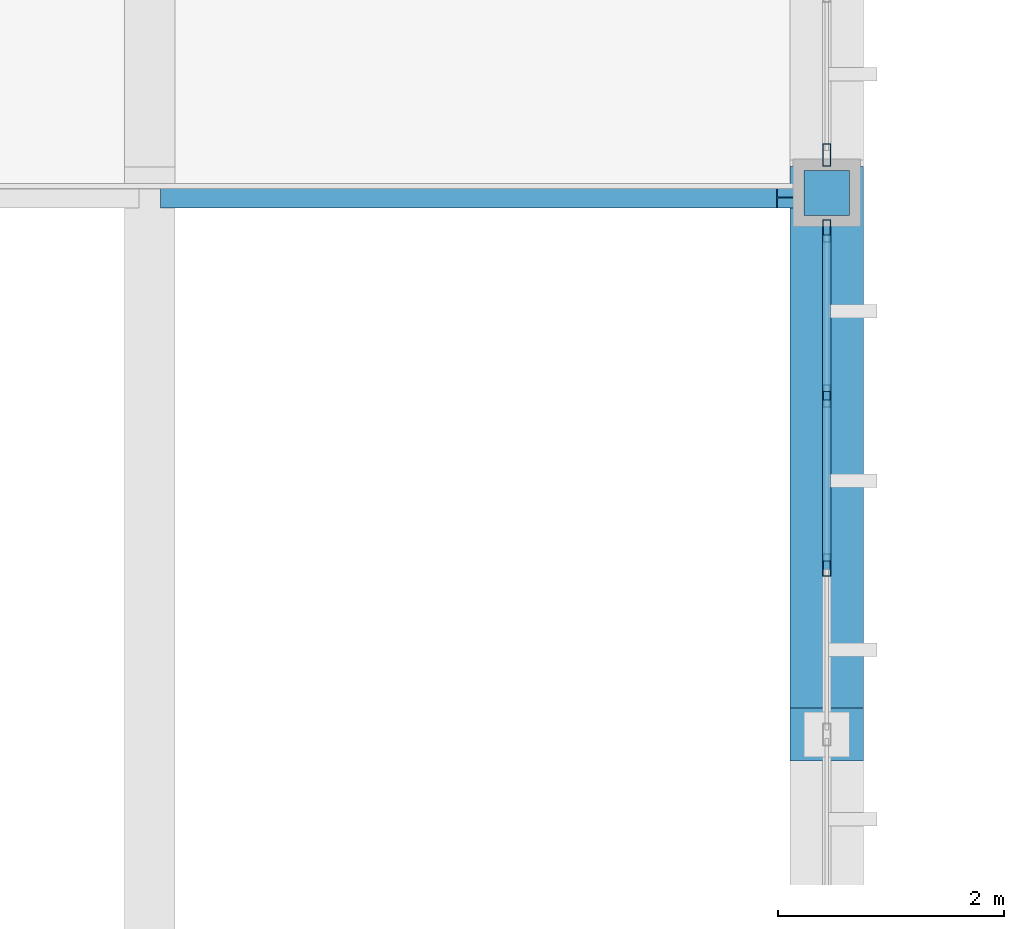
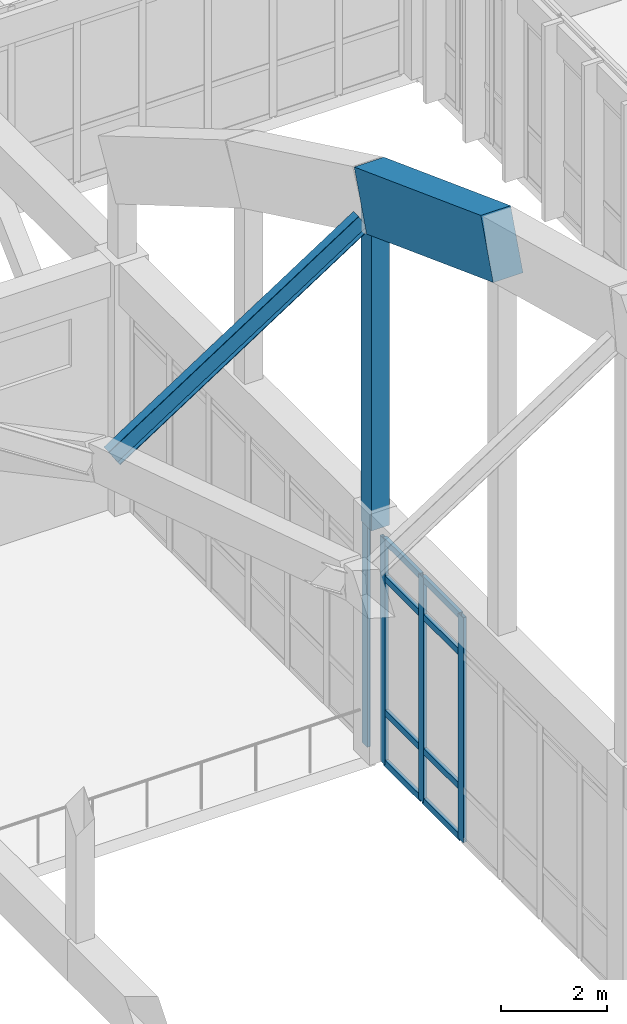
# One storey, part 155 of 236: 14 members, 1 beam, 2 elements without a shape of their own.
"""IFC4 building model written with IfcOpenShell, lengths in metres."""

import ifcopenshell
import ifcopenshell.guid

model = None  # the IFC model being written
_history = None  # IfcOwnerHistory: only IFC2X3 demands one
_inside = {}  # id of a spatial element -> (the spatial element, [elements in it])
_under = {}  # id of a project, library or spatial element -> (it, [spatial elements below it])
_declared = {}  # id of a project -> (the project, [libraries it declares])
_typed = {}  # id of a type object -> (the type object, [elements of that type])
_made_of = {}  # id of a material, layer set ... -> (it, [elements and type objects made of it])


def new_model(schema):
    """Start an empty IFC model of exactly this schema.

    Asked for "IFC4X3", IfcOpenShell would pick the latest addendum, in which some entities
    have other attributes; the version numbers below select the first issue.
    IFC2X3 requires an IfcOwnerHistory on every rooted entity: one is made here for all.
    """
    global model, _history
    if schema == "IFC4X3":
        model = ifcopenshell.file(schema_version=(4, 3, 0, 0))
    else:
        model = ifcopenshell.file(schema=schema)
    _inside.clear()
    _under.clear()
    _declared.clear()
    _typed.clear()
    _made_of.clear()
    _history = None
    if model.schema == "IFC2X3":
        org = make("IfcOrganization", Name="unknown")
        user = make(
            "IfcPersonAndOrganization",
            ThePerson=make("IfcPerson", FamilyName="unknown"),
            TheOrganization=org,
        )
        app = make(
            "IfcApplication",
            ApplicationDeveloper=org,
            Version="unknown",
            ApplicationFullName="unknown",
            ApplicationIdentifier="unknown",
        )
        _history = make(
            "IfcOwnerHistory",
            OwningUser=user,
            OwningApplication=app,
            ChangeAction="ADDED",
            CreationDate=0,
        )
    return model


def make(cls, **values):
    """One entity of the class cls with the attributes given. An attribute that is None is left unset."""
    return model.create_entity(
        cls, **{name: value for name, value in values.items() if value is not None}
    )


def rooted(cls, **values):
    """An entity with a GlobalId (a new one), such as an element, a storey or a relation."""
    return make(cls, GlobalId=ifcopenshell.guid.new(), OwnerHistory=_history, **values)


def si_unit(unit_type, name, prefix=None):
    """IfcSIUnit, for example si_unit("LENGTHUNIT", "METRE", prefix="MILLI")."""
    return make("IfcSIUnit", UnitType=unit_type, Prefix=prefix, Name=name)


def assignment(units):
    """IfcUnitAssignment: the units of a project."""
    return None if units is None else make("IfcUnitAssignment", Units=units)


def point(xyz):
    """IfcCartesianPoint."""
    return None if xyz is None else make("IfcCartesianPoint", Coordinates=xyz)


def direction(xyz):
    """IfcDirection."""
    return None if xyz is None else make("IfcDirection", DirectionRatios=xyz)


def frame(location, z_axis=None, x_axis=None):
    """IfcAxis2Placement3D, a coordinate frame: its origin and axes. An axis left out is left unset."""
    return make(
        "IfcAxis2Placement3D",
        Location=point(location),
        Axis=direction(z_axis),
        RefDirection=direction(x_axis),
    )


def frame_2d(location, x_axis=None):
    """IfcAxis2Placement2D, a coordinate frame in the plane: its origin and x axis."""
    return make(
        "IfcAxis2Placement2D", Location=point(location), RefDirection=direction(x_axis)
    )


def origin():
    """The frame at (0, 0, 0) with its axes left unset."""
    return frame((0.0, 0.0, 0.0))


def origin_2d():
    """The frame at (0, 0) in the plane with its x axis left unset."""
    return frame_2d((0.0, 0.0))


def place(relative_to, where):
    """IfcLocalPlacement: puts the frame where relative to a parent placement (None: the world)."""
    return make(
        "IfcLocalPlacement", PlacementRelTo=relative_to, RelativePlacement=where
    )


def context(
    kind, dimensions, precision=None, world=None, true_north=None, identifier=None
):
    """IfcGeometricRepresentationContext, for example the 3D "Model" context."""
    return make(
        "IfcGeometricRepresentationContext",
        ContextIdentifier=identifier,
        ContextType=kind,
        CoordinateSpaceDimension=dimensions,
        Precision=precision,
        WorldCoordinateSystem=world,
        TrueNorth=true_north,
    )


def subcontext(parent, identifier, kind, view, scale=None):
    """IfcGeometricRepresentationSubContext, for example "Body" below "Model"."""
    return make(
        "IfcGeometricRepresentationSubContext",
        ContextIdentifier=identifier,
        ContextType=kind,
        ParentContext=parent,
        TargetScale=scale,
        TargetView=view,
    )


def project(units=None, contexts=None):
    """IfcProject with its units and contexts."""
    return rooted(
        "IfcProject",
        Name="project",
        RepresentationContexts=contexts,
        UnitsInContext=assignment(units),
    )


def spatial(cls, under=None, at=None, **own):
    """A site, building, storey or space (cls), placed at a placement, below another one or the project."""
    s = rooted(cls, ObjectPlacement=at, **own)
    if under is not None:
        _under.setdefault(under.id(), (under, []))[1].append(s)
    return s


def profile(cls, at=None, kind="AREA", **sizes):
    """A parametric profile (cls). Its sizes go by their IFC names, for example OverallWidth=200.0."""
    return make(cls, ProfileType=kind, Position=at, **sizes)


def rectangle(**sizes):
    """IfcRectangleProfileDef."""
    return profile("IfcRectangleProfileDef", **sizes)


def hollow_rectangle(**sizes):
    """IfcRectangleHollowProfileDef."""
    return profile("IfcRectangleHollowProfileDef", **sizes)


def i_section(**sizes):
    """IfcIShapeProfileDef."""
    return profile("IfcIShapeProfileDef", **sizes)


def extrude(swept, where, along, depth):
    """IfcExtrudedAreaSolid: the profile swept, set in the frame where, extruded along a direction by depth."""
    return make(
        "IfcExtrudedAreaSolid",
        SweptArea=swept,
        Position=where,
        ExtrudedDirection=direction(along),
        Depth=depth,
    )


def shape(context_of_items, identifier, shape_type, items):
    """IfcShapeRepresentation: the items that make up one representation, for example the "Body"."""
    return make(
        "IfcShapeRepresentation",
        ContextOfItems=context_of_items,
        RepresentationIdentifier=identifier,
        RepresentationType=shape_type,
        Items=items,
    )


def material(Name=None, Category=None):
    """IfcMaterial."""
    return make("IfcMaterial", Name=Name, Category=Category)


def layer(
    of_material, thickness, ventilated=None, Name=None, Category=None, Priority=None
):
    """IfcMaterialLayer: one layer of a wall or slab, of a material (None: an air gap)."""
    return make(
        "IfcMaterialLayer",
        Material=of_material,
        LayerThickness=thickness,
        IsVentilated=ventilated,
        Name=Name,
        Category=Category,
        Priority=Priority,
    )


def layer_set(layers, Name=None):
    """IfcMaterialLayerSet."""
    return make("IfcMaterialLayerSet", MaterialLayers=layers, LayerSetName=Name)


def material_profile(
    of_material, cross_section, Name=None, Category=None, Priority=None
):
    """IfcMaterialProfile: a cross section and its material."""
    return make(
        "IfcMaterialProfile",
        Name=Name,
        Material=of_material,
        Profile=cross_section,
        Priority=Priority,
        Category=Category,
    )


def profile_set(profiles, Name=None, composite=None):
    """IfcMaterialProfileSet."""
    return make(
        "IfcMaterialProfileSet",
        Name=Name,
        MaterialProfiles=profiles,
        CompositeProfile=composite,
    )


def made_of(thing, what):
    """Note that an element or type object is made of a material, layer set ...; save() writes the relation."""
    if what is not None:
        _made_of.setdefault(what.id(), (what, []))[1].append(thing)
    return thing


def type_object(cls, material=None, **own):
    """A type object (cls), such as IfcWallType, which elements share."""
    return made_of(rooted(cls, **own), material)


def element(
    cls,
    number,
    at=None,
    inside=None,
    cuts=None,
    type_object=None,
    material=None,
    context=None,
    identifier="Body",
    shape_type=None,
    held_by="IfcProductDefinitionShape",
    body=None,
    shapes=None,
    **own,
):
    """One element of the class cls, such as IfcWall. Its Tag is "e" and its number.

    at: its placement. inside: the storey or other place that contains it. cuts: it is an
    opening in that element (IfcRelVoidsElement). A single representation is given by context,
    identifier, shape_type and body (its items); several are given by shapes. held_by: the class
    of the entity that holds the representations. save() writes the other relations.
    """
    e = rooted(cls, Tag="e%d" % number, ObjectPlacement=at, **own)
    if body is not None:
        shapes = [shape(context, identifier, shape_type, body)]
    if shapes is not None:
        e.Representation = make(held_by, Representations=shapes)
    if inside is not None:
        _inside.setdefault(inside.id(), (inside, []))[1].append(e)
    if cuts is not None:
        rooted(
            "IfcRelVoidsElement", RelatingBuildingElement=cuts, RelatedOpeningElement=e
        )
    if type_object is not None:
        _typed.setdefault(type_object.id(), (type_object, []))[1].append(e)
    return made_of(e, material)


def aggregate(whole, parts):
    """IfcRelAggregates: a whole, such as a stair, and the parts it consists of."""
    return rooted("IfcRelAggregates", RelatingObject=whole, RelatedObjects=parts)


def save(model, path):
    """Write the relations noted so far, then the file.

    IfcRelAggregates (storeys below a building ...), IfcRelContainedInSpatialStructure (elements
    in a storey), IfcRelDefinesByType, IfcRelAssociatesMaterial and IfcRelDeclares: one each for
    every whole, place, type object, material and project.
    """
    for whole, parts in _under.values():
        aggregate(whole, parts)
    for where, things in _inside.values():
        rooted(
            "IfcRelContainedInSpatialStructure",
            RelatedElements=things,
            RelatingStructure=where,
        )
    for kind, things in _typed.values():
        rooted("IfcRelDefinesByType", RelatedObjects=things, RelatingType=kind)
    for what, things in _made_of.values():
        rooted("IfcRelAssociatesMaterial", RelatedObjects=things, RelatingMaterial=what)
    for by, libraries in _declared.values():
        rooted("IfcRelDeclares", RelatingContext=by, RelatedDefinitions=libraries)
    model.write(path)


model = new_model("IFC4")

# Units and contexts
model_context = context("Model", 3, precision=1e-05, world=origin(), true_north=direction((0.0, 1.0)))
body_context = subcontext(model_context, "Body", "Model", "MODEL_VIEW")
ifc_project = project(units=[si_unit("LENGTHUNIT", "METRE"), si_unit("AREAUNIT", "SQUARE_METRE"), si_unit("VOLUMEUNIT", "CUBIC_METRE"), si_unit("PLANEANGLEUNIT", "RADIAN"), si_unit("MASSUNIT", "GRAM", prefix="KILO")], contexts=[model_context])

# Site, building, storey
site_placement = place(None, origin())
site = spatial("IfcSite", under=ifc_project, at=site_placement, CompositionType="ELEMENT")
building_placement = place(site_placement, origin())
building = spatial("IfcBuilding", under=site, at=building_placement, Name="Pandanus Reach Market Hall", CompositionType="ELEMENT")
storey_placement = place(building_placement, frame((0.0, 0.0, 5.39990234375)))
storey = spatial("IfcBuildingStorey", under=building, at=storey_placement, Name="L01", CompositionType="ELEMENT", Elevation=5.39990234375)

# Members
ifc_material_1 = material(Name="Concrete N50 (50 MPa)", Category="concrete")
ifc_material_profile_1 = material_profile(ifc_material_1, rectangle(XDim=0.64990234375, YDim=1.35009765625, at=origin_2d()), Name="RC650x1350", Category="LoadBearing")
ifc_profile_set_1 = profile_set([ifc_material_profile_1], Name="Concrete N50 (50 MPa)")
member_type_1 = type_object("IfcMemberType", Name="AR-RC650-E", PredefinedType="CHORD", material=ifc_profile_set_1)
member_1_placement = place(storey_placement, frame((132.0, 72.0, 14.68017578125), z_axis=(0.0, 0.937030438748, -0.349247701294), x_axis=(-1.0, 0.0, 0.0)))
element("IfcMember", 1, at=member_1_placement, inside=storey, type_object=member_type_1, Name="Parabolic arch top chord A8.10", PredefinedType="CHORD", context=body_context, shape_type="SweptSolid", body=[
    extrude(rectangle(XDim=0.64990234375, YDim=1.35009765625, at=origin_2d()), origin(), (0.0, 0.0, 1.0), 5.12255859375),
])
ifc_material_profile_2 = material_profile(ifc_material_1, rectangle(XDim=0.39990234375, YDim=0.39990234375, at=origin_2d()), Name="RC400x400", Category="LoadBearing")
ifc_profile_set_2 = profile_set([ifc_material_profile_2], Name="Concrete N50 (50 MPa)")
member_type_2 = type_object("IfcMemberType", Name="AR-WEB400-E", PredefinedType="STRUT", material=ifc_profile_set_2)
member_2_placement = place(storey_placement, frame((132.0, 76.800048828125, 5.3251953125), z_axis=(0.0, 0.0, 1.0), x_axis=(1.0, 0.0, 0.0)))
element("IfcMember", 2, at=member_2_placement, inside=storey, type_object=member_type_2, Name="Arch truss vertical web strut A8.10", PredefinedType="STRUT", context=body_context, shape_type="SweptSolid", body=[
    extrude(rectangle(XDim=0.39990234375, YDim=0.39990234375, at=origin_2d()), origin(), (0.0, 0.0, 1.0), 7.56591796875),
])

# Beam
ifc_material_2 = material(Name="Steel Grade 350 (350 MPa)", Category="steel")
ifc_material_profile_3 = material_profile(ifc_material_2, i_section(OverallWidth=0.18994140625, OverallDepth=0.45703125, WebThickness=0.009033203125, FlangeThickness=0.014404296875, at=origin_2d()), Name="460UB74.6", Category="LoadBearing")
ifc_profile_set_3 = profile_set([ifc_material_profile_3], Name="Steel Grade 350 (350 MPa)")
beam_type = type_object("IfcBeamType", Name="BM-UB460-I", PredefinedType="BEAM", material=ifc_profile_set_3)
beam_placement = place(storey_placement, frame((126.219970703125, 76.760009765625, 8.918212890625), z_axis=(0.839070527962, 0.0, 0.544022654956), x_axis=(0.0, 1.0, 0.0)))
element("IfcBeam", 3, at=beam_placement, inside=storey, type_object=beam_type, Name="Butterfly transverse rib B7.6R", PredefinedType="BEAM", context=body_context, shape_type="SweptSolid", body=[
    extrude(i_section(OverallWidth=0.18994140625, OverallDepth=0.45703125, WebThickness=0.009033203125, FlangeThickness=0.014404296875, at=origin_2d()), origin(), (0.0, 0.0, 1.0), 6.507080078125),
])

# Curtain wall, members
ifc_material_3 = material(Name="Bronze anodised aluminium and low-E glass", Category="aluminium")
ifc_layer_1 = layer(ifc_material_3, 0.199951171875, Name="CW-05")
ifc_layer_set_1 = layer_set([ifc_layer_1], Name="Bronze anodised aluminium and low-E glass")
curtain_wall_type_1 = type_object("IfcCurtainWallType", Name="CW-05", PredefinedType="NOTDEFINED", material=ifc_layer_set_1)
curtain_wall_1_placement = place(storey_placement, origin())
curtain_wall_1 = element("IfcCurtainWall", 4, at=curtain_wall_1_placement, inside=storey, type_object=curtain_wall_type_1, Name="Glazed curtain wall CW-05 CW-0033", PredefinedType="NOTDEFINED")
ifc_material_4 = material(Name="Bronze anodised aluminium", Category="aluminium")
ifc_material_profile_4 = material_profile(ifc_material_4, hollow_rectangle(XDim=0.074951171875, YDim=0.199951171875, WallThickness=0.00439453125, at=origin_2d()), Name="ALU75x200", Category="LoadBearing")
ifc_profile_set_4 = profile_set([ifc_material_profile_4], Name="Bronze anodised aluminium")
member_type_3 = type_object("IfcMemberType", Name="CW-M2", PredefinedType="MULLION", material=ifc_profile_set_4)
member_3_placement = place(storey_placement, frame((132.0, 73.5, 0.0), z_axis=(0.0, 0.0, 1.0), x_axis=(-1.0, 0.0, 0.0)))
member_3 = element("IfcMember", 5, at=member_3_placement, type_object=member_type_3, Name="CW-05 mullion 5", PredefinedType="MULLION", context=body_context, shape_type="SweptSolid", body=[
    extrude(hollow_rectangle(XDim=0.074951171875, YDim=0.199951171875, WallThickness=0.00439453125, at=origin_2d()), origin(), (0.0, 0.0, 1.0), 5.2001953125),
])
member_4_placement = place(storey_placement, frame((132.0, 75.0, 0.0), z_axis=(0.0, 0.0, 1.0), x_axis=(-1.0, 0.0, 0.0)))
member_4 = element("IfcMember", 6, at=member_4_placement, type_object=member_type_3, Name="CW-05 mullion 6", PredefinedType="MULLION", context=body_context, shape_type="SweptSolid", body=[
    extrude(hollow_rectangle(XDim=0.074951171875, YDim=0.199951171875, WallThickness=0.00439453125, at=origin_2d()), origin(), (0.0, 0.0, 1.0), 5.2001953125),
])
member_5_placement = place(storey_placement, frame((132.0, 76.46240234375, 0.0), z_axis=(0.0, 0.0, 1.0), x_axis=(-1.0, 0.0, 0.0)))
member_5 = element("IfcMember", 7, at=member_5_placement, type_object=member_type_3, Name="CW-05 mullion 7", PredefinedType="MULLION", context=body_context, shape_type="SweptSolid", body=[
    extrude(hollow_rectangle(XDim=0.074951171875, YDim=0.199951171875, WallThickness=0.00439453125, at=origin_2d()), origin(), (0.0, 0.0, 1.0), 5.2001953125),
])

# Curtain wall, member
ifc_layer_2 = layer(ifc_material_3, 0.199951171875, Name="CW-04")
ifc_layer_set_2 = layer_set([ifc_layer_2], Name="Bronze anodised aluminium and low-E glass")
curtain_wall_type_2 = type_object("IfcCurtainWallType", Name="CW-04", PredefinedType="NOTDEFINED", material=ifc_layer_set_2)
curtain_wall_2_placement = place(storey_placement, origin())
curtain_wall_2 = element("IfcCurtainWall", 8, at=curtain_wall_2_placement, inside=storey, type_object=curtain_wall_type_2, Name="Glazed curtain wall CW-04 CW-0037", PredefinedType="NOTDEFINED")
member_6_placement = place(storey_placement, frame((132.0, 77.137451171875, 0.0), z_axis=(0.0, 0.0, 1.0), x_axis=(-1.0, 0.0, 0.0)))
member_6 = element("IfcMember", 9, at=member_6_placement, type_object=member_type_3, Name="CW-04 mullion 1", PredefinedType="MULLION", context=body_context, shape_type="SweptSolid", body=[
    extrude(hollow_rectangle(XDim=0.074951171875, YDim=0.199951171875, WallThickness=0.00439453125, at=origin_2d()), origin(), (0.0, 0.0, 1.0), 5.2001953125),
])
aggregate(curtain_wall_2, [member_6])

# Member
ifc_material_profile_5 = material_profile(ifc_material_4, hollow_rectangle(XDim=0.074951171875, YDim=0.14990234375, WallThickness=0.00439453125, at=origin_2d()), Name="ALU75x150", Category="LoadBearing")
ifc_profile_set_5 = profile_set([ifc_material_profile_5], Name="Bronze anodised aluminium")
member_type_4 = type_object("IfcMemberType", Name="CW-T2", PredefinedType="USERDEFINED", material=ifc_profile_set_5)
member_7_placement = place(storey_placement, frame((132.0, 73.53759765625, 0.03759765625), z_axis=(0.0, 1.0, 0.0), x_axis=(-1.0, 0.0, 0.0)))
member_7 = element("IfcMember", 10, at=member_7_placement, type_object=member_type_4, Name="CW-05 transom 5.1", ObjectType="TRANSOM", PredefinedType="USERDEFINED", context=body_context, shape_type="SweptSolid", body=[
    extrude(hollow_rectangle(XDim=0.074951171875, YDim=0.14990234375, WallThickness=0.00439453125, at=origin_2d()), origin(), (0.0, 0.0, 1.0), 1.4248046875),
])

member_8_placement = place(storey_placement, frame((132.0, 73.53759765625, 1.2001953125), z_axis=(0.0, 1.0, 0.0), x_axis=(-1.0, 0.0, 0.0)))
member_8 = element("IfcMember", 11, at=member_8_placement, type_object=member_type_4, Name="CW-05 transom 5.2", ObjectType="TRANSOM", PredefinedType="USERDEFINED", context=body_context, shape_type="SweptSolid", body=[
    extrude(hollow_rectangle(XDim=0.074951171875, YDim=0.14990234375, WallThickness=0.00439453125, at=origin_2d()), origin(), (0.0, 0.0, 1.0), 1.4248046875),
])

member_9_placement = place(storey_placement, frame((132.0, 73.53759765625, 4.300048828125), z_axis=(0.0, 1.0, 0.0), x_axis=(-1.0, 0.0, 0.0)))
member_9 = element("IfcMember", 12, at=member_9_placement, type_object=member_type_4, Name="CW-05 transom 5.3", ObjectType="TRANSOM", PredefinedType="USERDEFINED", context=body_context, shape_type="SweptSolid", body=[
    extrude(hollow_rectangle(XDim=0.074951171875, YDim=0.14990234375, WallThickness=0.00439453125, at=origin_2d()), origin(), (0.0, 0.0, 1.0), 1.4248046875),
])

member_10_placement = place(storey_placement, frame((132.0, 73.53759765625, 5.16259765625), z_axis=(0.0, 1.0, 0.0), x_axis=(-1.0, 0.0, 0.0)))
member_10 = element("IfcMember", 13, at=member_10_placement, type_object=member_type_4, Name="CW-05 transom 5.4", ObjectType="TRANSOM", PredefinedType="USERDEFINED", context=body_context, shape_type="SweptSolid", body=[
    extrude(hollow_rectangle(XDim=0.074951171875, YDim=0.14990234375, WallThickness=0.00439453125, at=origin_2d()), origin(), (0.0, 0.0, 1.0), 1.4248046875),
])

member_11_placement = place(storey_placement, frame((132.0, 75.03759765625, 0.03759765625), z_axis=(0.0, 1.0, 0.0), x_axis=(-1.0, 0.0, 0.0)))
member_11 = element("IfcMember", 14, at=member_11_placement, type_object=member_type_4, Name="CW-05 transom 6.1", ObjectType="TRANSOM", PredefinedType="USERDEFINED", context=body_context, shape_type="SweptSolid", body=[
    extrude(hollow_rectangle(XDim=0.074951171875, YDim=0.14990234375, WallThickness=0.00439453125, at=origin_2d()), origin(), (0.0, 0.0, 1.0), 1.387451171875),
])

member_12_placement = place(storey_placement, frame((132.0, 75.03759765625, 1.2001953125), z_axis=(0.0, 1.0, 0.0), x_axis=(-1.0, 0.0, 0.0)))
member_12 = element("IfcMember", 15, at=member_12_placement, type_object=member_type_4, Name="CW-05 transom 6.2", ObjectType="TRANSOM", PredefinedType="USERDEFINED", context=body_context, shape_type="SweptSolid", body=[
    extrude(hollow_rectangle(XDim=0.074951171875, YDim=0.14990234375, WallThickness=0.00439453125, at=origin_2d()), origin(), (0.0, 0.0, 1.0), 1.387451171875),
])

member_13_placement = place(storey_placement, frame((132.0, 75.03759765625, 4.300048828125), z_axis=(0.0, 1.0, 0.0), x_axis=(-1.0, 0.0, 0.0)))
member_13 = element("IfcMember", 16, at=member_13_placement, type_object=member_type_4, Name="CW-05 transom 6.3", ObjectType="TRANSOM", PredefinedType="USERDEFINED", context=body_context, shape_type="SweptSolid", body=[
    extrude(hollow_rectangle(XDim=0.074951171875, YDim=0.14990234375, WallThickness=0.00439453125, at=origin_2d()), origin(), (0.0, 0.0, 1.0), 1.387451171875),
])

member_14_placement = place(storey_placement, frame((132.0, 75.03759765625, 5.16259765625), z_axis=(0.0, 1.0, 0.0), x_axis=(-1.0, 0.0, 0.0)))
member_14 = element("IfcMember", 17, at=member_14_placement, type_object=member_type_4, Name="CW-05 transom 6.4", ObjectType="TRANSOM", PredefinedType="USERDEFINED", context=body_context, shape_type="SweptSolid", body=[
    extrude(hollow_rectangle(XDim=0.074951171875, YDim=0.14990234375, WallThickness=0.00439453125, at=origin_2d()), origin(), (0.0, 0.0, 1.0), 1.387451171875),
])

aggregate(curtain_wall_1, [member_3, member_4, member_5, member_7, member_8, member_9, member_10, member_11, member_12, member_13, member_14])

save(model, "model.ifc")
